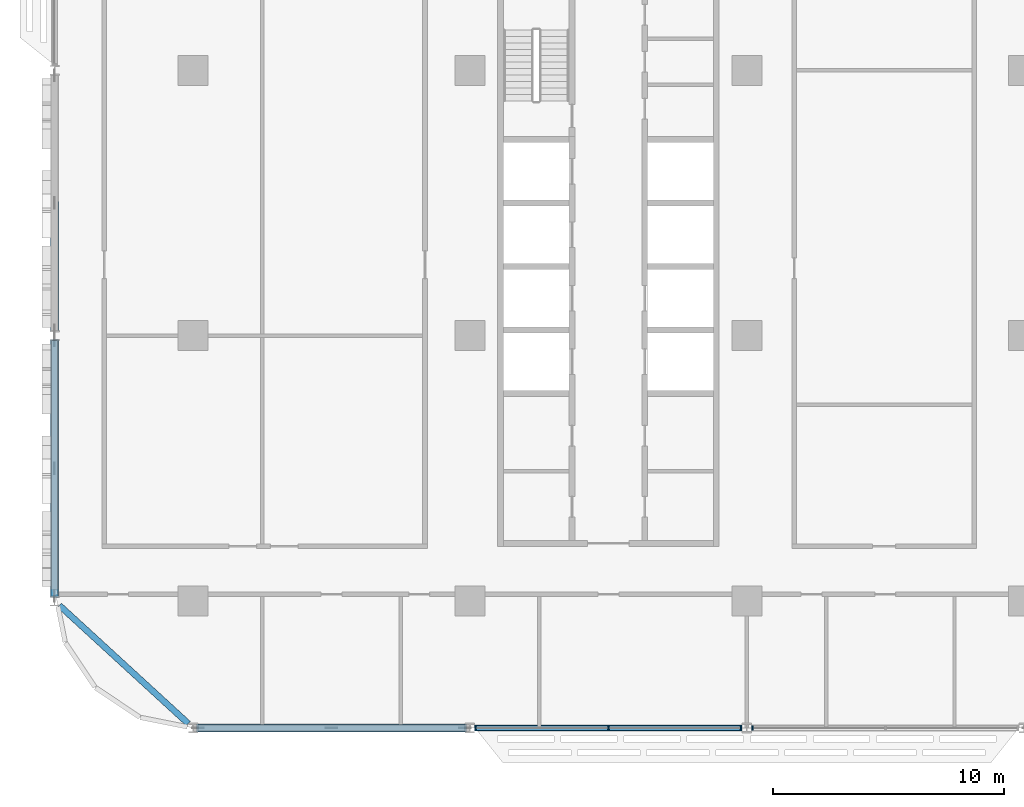
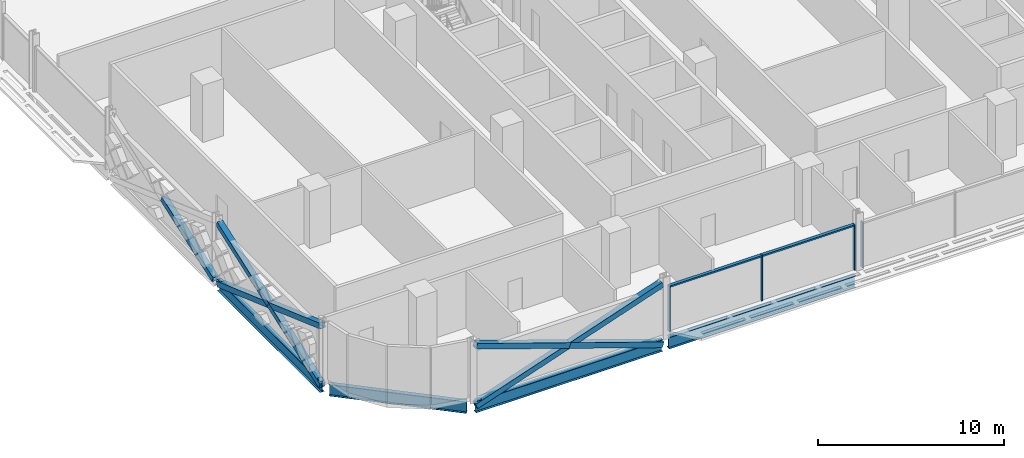
# One storey, part 3 of 29: 13 members, 4 beams, 2 elements without a shape of their own.
"""IFC4 building model written with IfcOpenShell, lengths in metres."""

import ifcopenshell
import ifcopenshell.guid

model = None  # the IFC model being written
_history = None  # IfcOwnerHistory: only IFC2X3 demands one
_inside = {}  # id of a spatial element -> (the spatial element, [elements in it])
_under = {}  # id of a project, library or spatial element -> (it, [spatial elements below it])
_declared = {}  # id of a project -> (the project, [libraries it declares])
_typed = {}  # id of a type object -> (the type object, [elements of that type])
_made_of = {}  # id of a material, layer set ... -> (it, [elements and type objects made of it])


def new_model(schema):
    """Start an empty IFC model of exactly this schema.

    Asked for "IFC4X3", IfcOpenShell would pick the latest addendum, in which some entities
    have other attributes; the version numbers below select the first issue.
    IFC2X3 requires an IfcOwnerHistory on every rooted entity: one is made here for all.
    """
    global model, _history
    if schema == "IFC4X3":
        model = ifcopenshell.file(schema_version=(4, 3, 0, 0))
    else:
        model = ifcopenshell.file(schema=schema)
    _inside.clear()
    _under.clear()
    _declared.clear()
    _typed.clear()
    _made_of.clear()
    _history = None
    if model.schema == "IFC2X3":
        org = make("IfcOrganization", Name="unknown")
        user = make(
            "IfcPersonAndOrganization",
            ThePerson=make("IfcPerson", FamilyName="unknown"),
            TheOrganization=org,
        )
        app = make(
            "IfcApplication",
            ApplicationDeveloper=org,
            Version="unknown",
            ApplicationFullName="unknown",
            ApplicationIdentifier="unknown",
        )
        _history = make(
            "IfcOwnerHistory",
            OwningUser=user,
            OwningApplication=app,
            ChangeAction="ADDED",
            CreationDate=0,
        )
    return model


def make(cls, **values):
    """One entity of the class cls with the attributes given. An attribute that is None is left unset."""
    return model.create_entity(
        cls, **{name: value for name, value in values.items() if value is not None}
    )


def rooted(cls, **values):
    """An entity with a GlobalId (a new one), such as an element, a storey or a relation."""
    return make(cls, GlobalId=ifcopenshell.guid.new(), OwnerHistory=_history, **values)


def si_unit(unit_type, name, prefix=None):
    """IfcSIUnit, for example si_unit("LENGTHUNIT", "METRE", prefix="MILLI")."""
    return make("IfcSIUnit", UnitType=unit_type, Prefix=prefix, Name=name)


def assignment(units):
    """IfcUnitAssignment: the units of a project."""
    return None if units is None else make("IfcUnitAssignment", Units=units)


def point(xyz):
    """IfcCartesianPoint."""
    return None if xyz is None else make("IfcCartesianPoint", Coordinates=xyz)


def direction(xyz):
    """IfcDirection."""
    return None if xyz is None else make("IfcDirection", DirectionRatios=xyz)


def frame(location, z_axis=None, x_axis=None):
    """IfcAxis2Placement3D, a coordinate frame: its origin and axes. An axis left out is left unset."""
    return make(
        "IfcAxis2Placement3D",
        Location=point(location),
        Axis=direction(z_axis),
        RefDirection=direction(x_axis),
    )


def frame_2d(location, x_axis=None):
    """IfcAxis2Placement2D, a coordinate frame in the plane: its origin and x axis."""
    return make(
        "IfcAxis2Placement2D", Location=point(location), RefDirection=direction(x_axis)
    )


def origin():
    """The frame at (0, 0, 0) with its axes left unset."""
    return frame((0.0, 0.0, 0.0))


def origin_2d():
    """The frame at (0, 0) in the plane with its x axis left unset."""
    return frame_2d((0.0, 0.0))


def place(relative_to, where):
    """IfcLocalPlacement: puts the frame where relative to a parent placement (None: the world)."""
    return make(
        "IfcLocalPlacement", PlacementRelTo=relative_to, RelativePlacement=where
    )


def context(
    kind, dimensions, precision=None, world=None, true_north=None, identifier=None
):
    """IfcGeometricRepresentationContext, for example the 3D "Model" context."""
    return make(
        "IfcGeometricRepresentationContext",
        ContextIdentifier=identifier,
        ContextType=kind,
        CoordinateSpaceDimension=dimensions,
        Precision=precision,
        WorldCoordinateSystem=world,
        TrueNorth=true_north,
    )


def subcontext(parent, identifier, kind, view, scale=None):
    """IfcGeometricRepresentationSubContext, for example "Body" below "Model"."""
    return make(
        "IfcGeometricRepresentationSubContext",
        ContextIdentifier=identifier,
        ContextType=kind,
        ParentContext=parent,
        TargetScale=scale,
        TargetView=view,
    )


def project(units=None, contexts=None):
    """IfcProject with its units and contexts."""
    return rooted(
        "IfcProject",
        Name="project",
        RepresentationContexts=contexts,
        UnitsInContext=assignment(units),
    )


def spatial(cls, under=None, at=None, **own):
    """A site, building, storey or space (cls), placed at a placement, below another one or the project."""
    s = rooted(cls, ObjectPlacement=at, **own)
    if under is not None:
        _under.setdefault(under.id(), (under, []))[1].append(s)
    return s


def profile(cls, at=None, kind="AREA", **sizes):
    """A parametric profile (cls). Its sizes go by their IFC names, for example OverallWidth=200.0."""
    return make(cls, ProfileType=kind, Position=at, **sizes)


def rectangle(**sizes):
    """IfcRectangleProfileDef."""
    return profile("IfcRectangleProfileDef", **sizes)


def hollow_rectangle(**sizes):
    """IfcRectangleHollowProfileDef."""
    return profile("IfcRectangleHollowProfileDef", **sizes)


def i_section(**sizes):
    """IfcIShapeProfileDef."""
    return profile("IfcIShapeProfileDef", **sizes)


def extrude(swept, where, along, depth):
    """IfcExtrudedAreaSolid: the profile swept, set in the frame where, extruded along a direction by depth."""
    return make(
        "IfcExtrudedAreaSolid",
        SweptArea=swept,
        Position=where,
        ExtrudedDirection=direction(along),
        Depth=depth,
    )


def shape(context_of_items, identifier, shape_type, items):
    """IfcShapeRepresentation: the items that make up one representation, for example the "Body"."""
    return make(
        "IfcShapeRepresentation",
        ContextOfItems=context_of_items,
        RepresentationIdentifier=identifier,
        RepresentationType=shape_type,
        Items=items,
    )


def material(Name=None, Category=None):
    """IfcMaterial."""
    return make("IfcMaterial", Name=Name, Category=Category)


def material_profile(
    of_material, cross_section, Name=None, Category=None, Priority=None
):
    """IfcMaterialProfile: a cross section and its material."""
    return make(
        "IfcMaterialProfile",
        Name=Name,
        Material=of_material,
        Profile=cross_section,
        Priority=Priority,
        Category=Category,
    )


def profile_set(profiles, Name=None, composite=None):
    """IfcMaterialProfileSet."""
    return make(
        "IfcMaterialProfileSet",
        Name=Name,
        MaterialProfiles=profiles,
        CompositeProfile=composite,
    )


def made_of(thing, what):
    """Note that an element or type object is made of a material, layer set ...; save() writes the relation."""
    if what is not None:
        _made_of.setdefault(what.id(), (what, []))[1].append(thing)
    return thing


def type_object(cls, material=None, **own):
    """A type object (cls), such as IfcWallType, which elements share."""
    return made_of(rooted(cls, **own), material)


def element(
    cls,
    number,
    at=None,
    inside=None,
    cuts=None,
    type_object=None,
    material=None,
    context=None,
    identifier="Body",
    shape_type=None,
    held_by="IfcProductDefinitionShape",
    body=None,
    shapes=None,
    **own,
):
    """One element of the class cls, such as IfcWall. Its Tag is "e" and its number.

    at: its placement. inside: the storey or other place that contains it. cuts: it is an
    opening in that element (IfcRelVoidsElement). A single representation is given by context,
    identifier, shape_type and body (its items); several are given by shapes. held_by: the class
    of the entity that holds the representations. save() writes the other relations.
    """
    e = rooted(cls, Tag="e%d" % number, ObjectPlacement=at, **own)
    if body is not None:
        shapes = [shape(context, identifier, shape_type, body)]
    if shapes is not None:
        e.Representation = make(held_by, Representations=shapes)
    if inside is not None:
        _inside.setdefault(inside.id(), (inside, []))[1].append(e)
    if cuts is not None:
        rooted(
            "IfcRelVoidsElement", RelatingBuildingElement=cuts, RelatedOpeningElement=e
        )
    if type_object is not None:
        _typed.setdefault(type_object.id(), (type_object, []))[1].append(e)
    return made_of(e, material)


def aggregate(whole, parts):
    """IfcRelAggregates: a whole, such as a stair, and the parts it consists of."""
    return rooted("IfcRelAggregates", RelatingObject=whole, RelatedObjects=parts)


def save(model, path):
    """Write the relations noted so far, then the file.

    IfcRelAggregates (storeys below a building ...), IfcRelContainedInSpatialStructure (elements
    in a storey), IfcRelDefinesByType, IfcRelAssociatesMaterial and IfcRelDeclares: one each for
    every whole, place, type object, material and project.
    """
    for whole, parts in _under.values():
        aggregate(whole, parts)
    for where, things in _inside.values():
        rooted(
            "IfcRelContainedInSpatialStructure",
            RelatedElements=things,
            RelatingStructure=where,
        )
    for kind, things in _typed.values():
        rooted("IfcRelDefinesByType", RelatedObjects=things, RelatingType=kind)
    for what, things in _made_of.values():
        rooted("IfcRelAssociatesMaterial", RelatedObjects=things, RelatingMaterial=what)
    for by, libraries in _declared.values():
        rooted("IfcRelDeclares", RelatingContext=by, RelatedDefinitions=libraries)
    model.write(path)


model = new_model("IFC4")

# Units and contexts
model_context = context("Model", 3, precision=1e-05, world=origin(), true_north=direction((0.0, 1.0)))
body_context = subcontext(model_context, "Body", "Model", "MODEL_VIEW")
ifc_project = project(units=[si_unit("LENGTHUNIT", "METRE"), si_unit("AREAUNIT", "SQUARE_METRE"), si_unit("VOLUMEUNIT", "CUBIC_METRE"), si_unit("PLANEANGLEUNIT", "RADIAN"), si_unit("MASSUNIT", "GRAM", prefix="KILO")], contexts=[model_context])

# Site, building, storey
site_placement = place(None, origin())
site = spatial("IfcSite", under=ifc_project, at=site_placement, CompositionType="ELEMENT")
building_placement = place(site_placement, origin())
building = spatial("IfcBuilding", under=site, at=building_placement, Name="Mahtab Terrace Research Tower", CompositionType="ELEMENT")
storey_placement = place(building_placement, frame((0.0, 0.0, 146.60009765625)))
storey = spatial("IfcBuildingStorey", under=building, at=storey_placement, Name="L34", CompositionType="ELEMENT", Elevation=146.60009765625)

# Members
ifc_material_1 = material(Name="Steel ASTM A500 Gr C", Category="steel")
ifc_material_profile_1 = material_profile(ifc_material_1, hollow_rectangle(XDim=0.355712890625, YDim=0.355712890625, WallThickness=0.01904296875, at=origin_2d()), Name="HSS14X14X3/4")
ifc_profile_set_1 = profile_set([ifc_material_profile_1], Name="Steel ASTM A500 Gr C")
member_type_1 = type_object("IfcMemberType", Name="HSS 14x14x3/4 brace XB141434", PredefinedType="BRACE", material=ifc_profile_set_1)
member_1_placement = place(storey_placement, frame((-48.0, 0.217041015625, -0.64111328125), z_axis=(0.0, 0.941925134484, 0.335822931061), x_axis=(-1.0, 0.0, 0.0)))
element("IfcMember", 1, at=member_1_placement, inside=storey, type_object=member_type_1, Name="Exoskeleton brace L34 11 b1", PredefinedType="BRACE", context=body_context, shape_type="SweptSolid", body=[
    extrude(hollow_rectangle(XDim=0.355712890625, YDim=0.355712890625, WallThickness=0.01904296875, at=origin_2d()), origin(), (0.0, 0.0, 1.0), 5.8740234375),
])
member_2_placement = place(storey_placement, frame((-48.0, -0.217041015625, -0.64111328125), z_axis=(0.0, -0.941931707836, 0.335804493379), x_axis=(1.0, 0.0, 0.0)))
element("IfcMember", 2, at=member_2_placement, inside=storey, type_object=member_type_1, Name="Exoskeleton brace L34 12 a", PredefinedType="BRACE", context=body_context, shape_type="SweptSolid", body=[
    extrude(hollow_rectangle(XDim=0.355712890625, YDim=0.355712890625, WallThickness=0.01904296875, at=origin_2d()), origin(), (0.0, 0.0, 1.0), 11.748046875),
])
for number, where, z_axis, x_axis, name in (
    (3, (-48.0, -11.282958984375, -0.64111328125), (0.0, 0.941925134484, 0.335822931061), (-1.0, 0.0, 0.0), "Exoskeleton brace L34 12 b1"),
    (4, (-48.0, -5.75, 1.33154296875), (0.0, 0.941938280918, 0.335786055312), (-1.0, 0.0, 0.0), "Exoskeleton brace L34 12 b2"),
):
    element("IfcMember", number, at=place(storey_placement, frame(where, z_axis=z_axis, x_axis=x_axis)), inside=storey, type_object=member_type_1, Name=name, PredefinedType="BRACE", context=body_context, shape_type="SweptSolid", body=[
        extrude(hollow_rectangle(XDim=0.355712890625, YDim=0.355712890625, WallThickness=0.01904296875, at=origin_2d()), origin(), (0.0, 0.0, 1.0), 5.8740234375),
    ])
member_3_placement = place(storey_placement, frame((-41.794189453125, -17.0, -0.648193359375), z_axis=(0.946294377485, 0.0, 0.323306280699), x_axis=(0.0, 1.0, 0.0)))
element("IfcMember", 5, at=member_3_placement, inside=storey, type_object=member_type_1, Name="Exoskeleton brace L34 14 a", PredefinedType="BRACE", context=body_context, shape_type="SweptSolid", body=[
    extrude(hollow_rectangle(XDim=0.355712890625, YDim=0.355712890625, WallThickness=0.01904296875, at=origin_2d()), origin(), (0.0, 0.0, 1.0), 12.24609375),
])
for number, where, z_axis, x_axis, name in (
    (6, (-30.205810546875, -17.0, -0.648193359375), (-0.946288278, 0.0, 0.323324132908), (0.0, -1.0, 0.0), "Exoskeleton brace L34 14 b1"),
    (7, (-36.0, -17.0, 1.33154296875), (-0.946300476713, 0.0, 0.323288428146), (0.0, -1.0, 0.0), "Exoskeleton brace L34 14 b2"),
):
    element("IfcMember", number, at=place(storey_placement, frame(where, z_axis=z_axis, x_axis=x_axis)), inside=storey, type_object=member_type_1, Name=name, PredefinedType="BRACE", context=body_context, shape_type="SweptSolid", body=[
        extrude(hollow_rectangle(XDim=0.355712890625, YDim=0.355712890625, WallThickness=0.01904296875, at=origin_2d()), origin(), (0.0, 0.0, 1.0), 6.123046875),
    ])

# Curtain wall, members
ifc_material_2 = material(Name="Laboratory ribbon curtain wall")
curtain_wall_type = type_object("IfcCurtainWallType", Name="Laboratory ribbon curtain wall", PredefinedType="NOTDEFINED", material=ifc_material_2)
curtain_wall_1_placement = place(storey_placement, origin())
curtain_wall_1 = element("IfcCurtainWall", 8, at=curtain_wall_1_placement, inside=storey, type_object=curtain_wall_type, Name="EN.L34.13.25", PredefinedType="NOTDEFINED")
ifc_material_3 = material(Name="Natural anodised aluminium", Category="aluminium")
ifc_material_profile_2 = material_profile(ifc_material_3, rectangle(XDim=0.199951171875, YDim=0.06494140625, at=origin_2d()), Name="MULLION 65x200")
ifc_profile_set_2 = profile_set([ifc_material_profile_2], Name="Natural anodised aluminium")
member_type_2 = type_object("IfcMemberType", Name="Laboratory ribbon curtain wall mullion", PredefinedType="MULLION", material=ifc_profile_set_2)
member_4_placement = place(storey_placement, frame((-29.74951171875, -17.0, 0.0), z_axis=(0.0, 0.0, 1.0), x_axis=(0.0, 1.0, 0.0)))
member_4 = element("IfcMember", 9, at=member_4_placement, type_object=member_type_2, Name="CWL-4 mullion 1", PredefinedType="MULLION", context=body_context, shape_type="SweptSolid", body=[
    extrude(rectangle(XDim=0.199951171875, YDim=0.06494140625, at=origin_2d()), origin(), (0.0, 0.0, 1.0), 3.0029296875),
])
member_5_placement = place(storey_placement, frame((-24.0, -17.0, 0.0), z_axis=(0.0, 0.0, 1.0), x_axis=(0.0, 1.0, 0.0)))
member_5 = element("IfcMember", 10, at=member_5_placement, type_object=member_type_2, Name="CWL-4 mullion 2", PredefinedType="MULLION", context=body_context, shape_type="SweptSolid", body=[
    extrude(rectangle(XDim=0.199951171875, YDim=0.06494140625, at=origin_2d()), origin(), (0.0, 0.0, 1.0), 3.0029296875),
])
member_6_placement = place(storey_placement, frame((-18.25048828125, -17.0, 0.0), z_axis=(0.0, 0.0, 1.0), x_axis=(0.0, 1.0, 0.0)))
member_6 = element("IfcMember", 11, at=member_6_placement, type_object=member_type_2, Name="CWL-4 mullion 3", PredefinedType="MULLION", context=body_context, shape_type="SweptSolid", body=[
    extrude(rectangle(XDim=0.199951171875, YDim=0.06494140625, at=origin_2d()), origin(), (0.0, 0.0, 1.0), 3.0029296875),
])

# Curtain wall, member
curtain_wall_2_placement = place(storey_placement, origin())
curtain_wall_2 = element("IfcCurtainWall", 12, at=curtain_wall_2_placement, inside=storey, type_object=curtain_wall_type, Name="EN.L34.13.26", PredefinedType="NOTDEFINED")
member_7_placement = place(storey_placement, frame((-17.74951171875, -17.0, 0.0), z_axis=(0.0, 0.0, 1.0), x_axis=(0.0, 1.0, 0.0)))
member_7 = element("IfcMember", 13, at=member_7_placement, type_object=member_type_2, Name="CWL-4 mullion 1", PredefinedType="MULLION", context=body_context, shape_type="SweptSolid", body=[
    extrude(rectangle(XDim=0.199951171875, YDim=0.06494140625, at=origin_2d()), origin(), (0.0, 0.0, 1.0), 3.0029296875),
])
aggregate(curtain_wall_2, [member_7])

# Member
ifc_material_profile_3 = material_profile(ifc_material_3, rectangle(XDim=0.199951171875, YDim=0.10009765625, at=origin_2d()), Name="TRANSOM 100x200")
ifc_profile_set_3 = profile_set([ifc_material_profile_3], Name="Natural anodised aluminium")
member_type_3 = type_object("IfcMemberType", Name="Laboratory ribbon curtain wall transom", PredefinedType="USERDEFINED", material=ifc_profile_set_3)
member_8_placement = place(storey_placement, frame((-29.717041015625, -17.0, 2.952880859375), z_axis=(1.0, 0.0, 0.0), x_axis=(0.0, 1.0, 0.0)))
member_8 = element("IfcMember", 14, at=member_8_placement, type_object=member_type_3, Name="CWL-4 transom 1", ObjectType="TRANSOM", PredefinedType="USERDEFINED", context=body_context, shape_type="SweptSolid", body=[
    extrude(rectangle(XDim=0.199951171875, YDim=0.10009765625, at=origin_2d()), origin(), (0.0, 0.0, 1.0), 5.6845703125),
])

member_9_placement = place(storey_placement, frame((-23.967529296875, -17.0, 2.952880859375), z_axis=(1.0, 0.0, 0.0), x_axis=(0.0, 1.0, 0.0)))
member_9 = element("IfcMember", 15, at=member_9_placement, type_object=member_type_3, Name="CWL-4 transom 2", ObjectType="TRANSOM", PredefinedType="USERDEFINED", context=body_context, shape_type="SweptSolid", body=[
    extrude(rectangle(XDim=0.199951171875, YDim=0.10009765625, at=origin_2d()), origin(), (0.0, 0.0, 1.0), 5.6845703125),
])

aggregate(curtain_wall_1, [member_4, member_5, member_6, member_8, member_9])

# Beams
ifc_material_4 = material(Name="Steel ASTM A992 Gr 50", Category="steel")
ifc_material_profile_4 = material_profile(ifc_material_4, i_section(OverallWidth=0.2666015625, OverallDepth=0.7568359375, WebThickness=0.013916015625, FlangeThickness=0.019287109375, at=origin_2d()), Name="W30X108")
ifc_profile_set_4 = profile_set([ifc_material_profile_4], Name="Steel ASTM A992 Gr 50")
beam_type = type_object("IfcBeamType", Name="W30x108 beam BS30108", PredefinedType="BEAM", material=ifc_profile_set_4)
beam_1_placement = place(storey_placement, frame((-48.0, -0.217041015625, -0.718505859375), z_axis=(0.0, -1.0, 0.0), x_axis=(1.0, 0.0, 0.0)))
element("IfcBeam", 16, at=beam_1_placement, inside=storey, type_object=beam_type, Name="Spandrel beam L34 12", PredefinedType="BEAM", context=body_context, shape_type="SweptSolid", body=[
    extrude(i_section(OverallWidth=0.2666015625, OverallDepth=0.7568359375, WebThickness=0.013916015625, FlangeThickness=0.019287109375, at=origin_2d()), origin(), (0.0, 0.0, 1.0), 11.06591796875),
])
beam_2_placement = place(storey_placement, frame((-47.794189453125, -11.688720703125, -0.718505859375), z_axis=(0.737162160905, -0.675715878554, 0.0), x_axis=(0.675715878554, 0.737162160905, 0.0)))
element("IfcBeam", 17, at=beam_2_placement, inside=storey, type_object=beam_type, Name="Spandrel beam L34 13", PredefinedType="BEAM", context=body_context, shape_type="SweptSolid", body=[
    extrude(i_section(OverallWidth=0.2666015625, OverallDepth=0.7568359375, WebThickness=0.013916015625, FlangeThickness=0.019287109375, at=origin_2d()), origin(), (0.0, 0.0, 1.0), 7.5810546875),
])
for number, where, z_axis, x_axis, name in (
    (18, (-41.794189453125, -17.0, -0.718505859375), (1.0, 0.0, 0.0), (0.0, 1.0, 0.0), "Spandrel beam L34 14"),
    (19, (-29.794189453125, -17.0, -0.718505859375), (1.0, 0.0, 0.0), (0.0, 1.0, 0.0), "Spandrel beam L34 15"),
):
    element("IfcBeam", number, at=place(storey_placement, frame(where, z_axis=z_axis, x_axis=x_axis)), inside=storey, type_object=beam_type, Name=name, PredefinedType="BEAM", context=body_context, shape_type="SweptSolid", body=[
        extrude(i_section(OverallWidth=0.2666015625, OverallDepth=0.7568359375, WebThickness=0.013916015625, FlangeThickness=0.019287109375, at=origin_2d()), origin(), (0.0, 0.0, 1.0), 11.58837890625),
    ])

save(model, "model.ifc")
